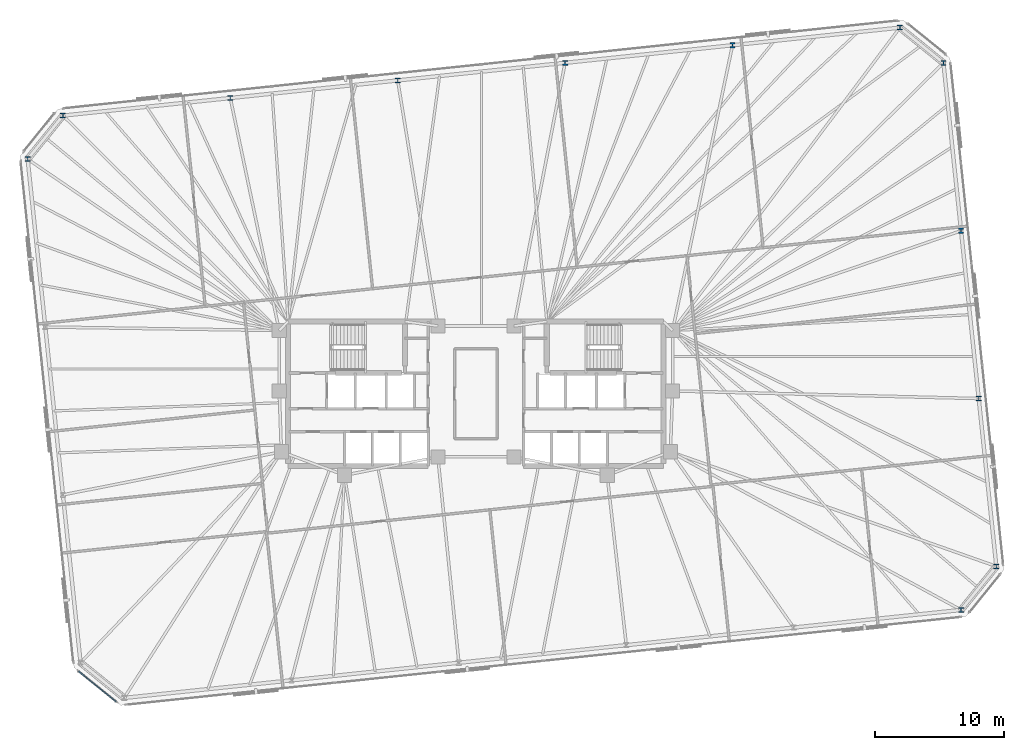
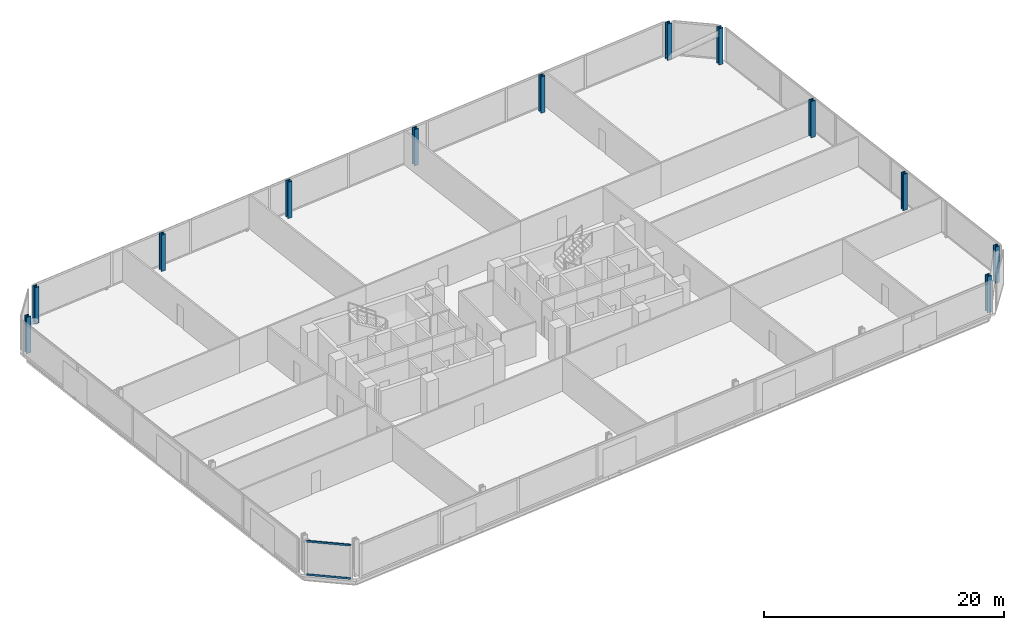
# One storey, part 5 of 18: 12 columns, 2 members, 1 element without a shape of its own.
"""IFC4 building model written with IfcOpenShell, lengths in metres."""

from ifc_helpers import new_model, si_unit, direction, frame, origin, origin_2d, place, context, subcontext, project, spatial, rectangle, i_section, extrude, material, material_profile, profile_set, type_object, element, aggregate, save


model = new_model("IFC4")

# Units and contexts
model_context = context("Model", 3, precision=1e-05, world=origin(), true_north=direction((0.0, 1.0)))
body_context = subcontext(model_context, "Body", "Model", "MODEL_VIEW")
ifc_project = project(units=[si_unit("LENGTHUNIT", "METRE"), si_unit("AREAUNIT", "SQUARE_METRE"), si_unit("VOLUMEUNIT", "CUBIC_METRE"), si_unit("PLANEANGLEUNIT", "RADIAN"), si_unit("MASSUNIT", "GRAM", prefix="KILO")], contexts=[model_context])

# Site, building, storey
site_placement = place(None, origin())
site = spatial("IfcSite", under=ifc_project, at=site_placement, CompositionType="ELEMENT")
building_placement = place(site_placement, origin())
building = spatial("IfcBuilding", under=site, at=building_placement, Name="Menara Jurai Vektor", CompositionType="ELEMENT")
storey_placement = place(building_placement, frame((0.0, 0.0, 94.800048828125)))
storey = spatial("IfcBuildingStorey", under=building, at=storey_placement, Name="L23", CompositionType="ELEMENT", Elevation=94.800048828125)

# Columns
ifc_material_1 = material(Name="Steel S460", Category="steel")
ifc_material_profile_1 = material_profile(ifc_material_1, i_section(OverallWidth=0.4130859375, OverallDepth=0.39794921875, WebThickness=0.055908203125, FlangeThickness=0.089111328125, FilletRadius=0.014892578125, at=origin_2d()), Name="HD 400x744")
ifc_profile_set_1 = profile_set([ifc_material_profile_1], Name="Steel S460")
column_type = type_object("IfcColumnType", Name="STR-EXO-BLK2", PredefinedType="COLUMN", material=ifc_profile_set_1)
for number, where, z_axis, x_axis, name in (
    (1, (37.621826171875, -16.76513671875, 0.0), (0.0, 0.0, 1.0), (1.0, 0.0, 0.0), "Exoskeleton Column BLK2-S6 L23"),
    (2, (40.356201171875, -13.388671875, 0.0), (0.0, 0.0, 1.0), (1.0, 0.0, 0.0), "Exoskeleton Column BLK2-E1 L23"),
    (3, (38.98828125, -0.375, 0.0), (0.0, 0.0, 1.0), (1.0, 0.0, 0.0), "Exoskeleton Column BLK2-E2 L23"),
    (4, (37.62060546875, 12.638427734375, 0.0), (0.0, 0.0, 1.0), (1.0, 0.0, 0.0), "Exoskeleton Column BLK2-E3 L23"),
    (5, (36.252685546875, 25.65185546875, 0.0), (0.0, 0.0, 1.0), (1.0, 0.0, 0.0), "Exoskeleton Column BLK2-E4 L23"),
    (6, (32.876220703125, 28.38623046875, 0.0), (0.0, 0.0, 1.0), (1.0, 0.0, 0.0), "Exoskeleton Column BLK2-N1 L23"),
    (7, (19.896728515625, 27.02197265625, 0.0), (0.0, 0.0, 1.0), (1.0, 0.0, 0.0), "Exoskeleton Column BLK2-N2 L23"),
    (8, (6.9169921875, 25.65771484375, 0.0), (0.0, 0.0, 1.0), (1.0, 0.0, 0.0), "Exoskeleton Column BLK2-N3 L23"),
    (9, (-6.0625, 24.29345703125, 0.0), (0.0, 0.0, 1.0), (1.0, 0.0, 0.0), "Exoskeleton Column BLK2-N4 L23"),
    (10, (-19.042236328125, 22.929443359375, 0.0), (0.0, 0.0, 1.0), (1.0, 0.0, 0.0), "Exoskeleton Column BLK2-N5 L23"),
    (11, (-32.02197265625, 21.565185546875, 0.0), (0.0, 0.0, 1.0), (1.0, 0.0, 0.0), "Exoskeleton Column BLK2-N6 L23"),
    (12, (-34.756103515625, 18.188720703125, 0.0), (0.0, 0.0, 1.0), (1.0, 0.0, 0.0), "Exoskeleton Column BLK2-W1 L23"),
):
    element("IfcColumn", number, at=place(storey_placement, frame(where, z_axis=z_axis, x_axis=x_axis)), inside=storey, type_object=column_type, Name=name, PredefinedType="COLUMN", context=body_context, shape_type="SweptSolid", body=[
        extrude(i_section(OverallWidth=0.4130859375, OverallDepth=0.39794921875, WebThickness=0.055908203125, FlangeThickness=0.089111328125, FilletRadius=0.014892578125, at=origin_2d()), origin(), (0.0, 0.0, 1.0), 3.699951171875),
    ])

# Curtain wall, members
ifc_material_2 = material(Name="Anodised Pale Aluminium & Low-E Double Glazing", Category="aluminium")
curtain_wall_type = type_object("IfcCurtainWallType", Name="CW-BLK2", PredefinedType="NOTDEFINED", material=ifc_material_2)
curtain_wall_placement = place(storey_placement, origin())
curtain_wall = element("IfcCurtainWall", 13, at=curtain_wall_placement, inside=storey, type_object=curtain_wall_type, Name="Unitised Curtain Wall L23 F08", PredefinedType="NOTDEFINED")
ifc_material_3 = material(Name="Anodised Pale Aluminium Transom", Category="aluminium")
ifc_material_profile_2 = material_profile(ifc_material_3, rectangle(XDim=0.090087890625, YDim=0.18505859375, at=origin_2d()), Name="ALU TRN 90x185")
ifc_profile_set_2 = profile_set([ifc_material_profile_2], Name="Anodised Pale Aluminium Transom")
member_type = type_object("IfcMemberType", Name="CW-BLK2-TRN", PredefinedType="USERDEFINED", material=ifc_profile_set_2)
member_1_placement = place(storey_placement, frame((-30.80078125, -21.525634765625, 0.044921875), z_axis=(0.777128916205, -0.6293414396, 0.0), x_axis=(0.6293414396, 0.777128916205, 0.0)))
member_1 = element("IfcMember", 14, at=member_1_placement, type_object=member_type, Name="CW-02 transom 1.1", ObjectType="TRANSOM", PredefinedType="USERDEFINED", context=body_context, shape_type="SweptSolid", body=[
    extrude(rectangle(XDim=0.090087890625, YDim=0.18505859375, at=origin_2d()), origin(), (0.0, 0.0, 1.0), 3.726806640625),
])
member_2_placement = place(storey_placement, frame((-30.80078125, -21.525634765625, 3.429931640625), z_axis=(0.777128916205, -0.6293414396, 0.0), x_axis=(0.6293414396, 0.777128916205, 0.0)))
member_2 = element("IfcMember", 15, at=member_2_placement, type_object=member_type, Name="CW-02 transom 1.2", ObjectType="TRANSOM", PredefinedType="USERDEFINED", context=body_context, shape_type="SweptSolid", body=[
    extrude(rectangle(XDim=0.090087890625, YDim=0.18505859375, at=origin_2d()), origin(), (0.0, 0.0, 1.0), 3.726806640625),
])
aggregate(curtain_wall, [member_1, member_2])

save(model, "model.ifc")
